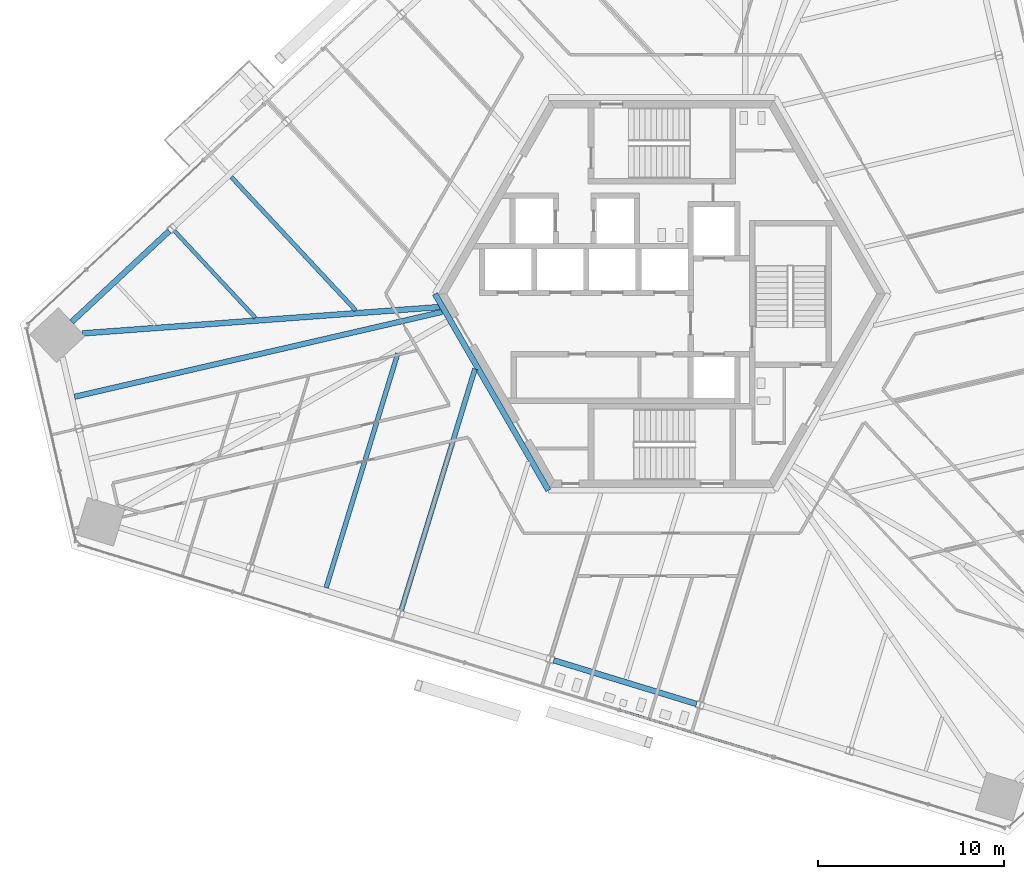
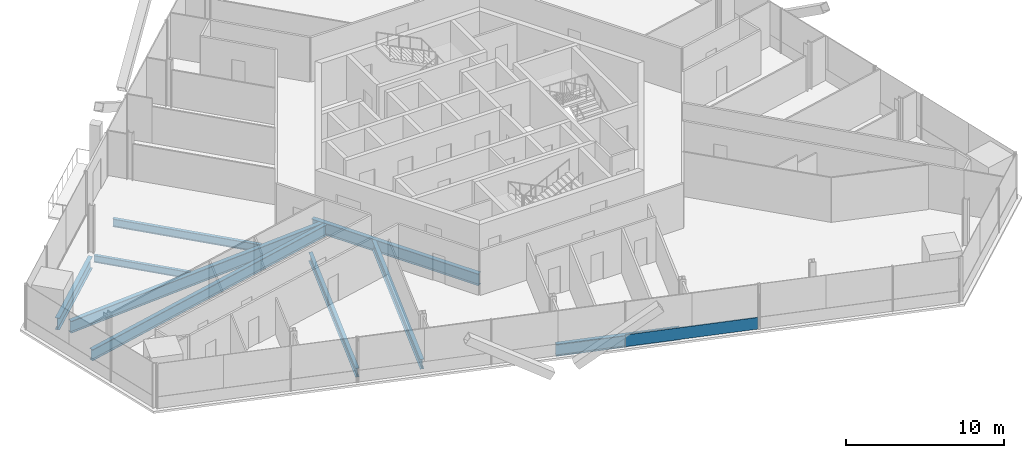
# One storey, part 5 of 20: 9 beams, 1 member, 1 element without a shape of its own.
"""IFC4 building model written with IfcOpenShell, lengths in metres."""

from ifc_helpers import new_model, si_unit, direction, frame, origin, origin_2d, place, context, subcontext, project, spatial, rectangle, i_section, extrude, source, transform, mapped, material, material_profile, profile_set, type_object, element, aggregate, save


model = new_model("IFC4")

# Units and contexts
model_context = context("Model", 3, precision=1e-05, world=origin(), true_north=direction((0.0, 1.0)))
body_context = subcontext(model_context, "Body", "Model", "MODEL_VIEW")
ifc_project = project(units=[si_unit("LENGTHUNIT", "METRE"), si_unit("AREAUNIT", "SQUARE_METRE"), si_unit("VOLUMEUNIT", "CUBIC_METRE"), si_unit("PLANEANGLEUNIT", "RADIAN"), si_unit("MASSUNIT", "GRAM", prefix="KILO")], contexts=[model_context])

# Site, building, storey
site_placement = place(None, origin())
site = spatial("IfcSite", under=ifc_project, at=site_placement, CompositionType="ELEMENT")
building_placement = place(site_placement, origin())
building = spatial("IfcBuilding", under=site, at=building_placement, Name="Triune Harvest Tower", CompositionType="ELEMENT")
storey_placement = place(building_placement, frame((0.0, 0.0, 116.300048828125)))
storey = spatial("IfcBuildingStorey", under=building, at=storey_placement, Name="L29", CompositionType="ELEMENT", Elevation=116.300048828125)

# Beams
ifc_material_1 = material(Name="Steel ASTM A992 Gr 50", Category="steel")
ifc_material_profile_1 = material_profile(ifc_material_1, i_section(OverallWidth=0.3046875, OverallDepth=0.914306640625, WebThickness=0.0166015625, FlangeThickness=0.02587890625, at=origin_2d()), Name="W36x160")
ifc_profile_set_1 = profile_set([ifc_material_profile_1], Name="Steel ASTM A992 Gr 50")
beam_type_1 = type_object("IfcBeamType", Name="CG-1 Core ring girder W36x160", PredefinedType="BEAM", material=ifc_profile_set_1)
shared_shape_1 = source(origin(), body_context, "Body", "SweptSolid", [
    extrude(i_section(OverallWidth=0.3046875, OverallDepth=0.914306640625, WebThickness=0.0166015625, FlangeThickness=0.02587890625, at=origin_2d()), origin(), (0.0, 0.0, 1.0), 12.176025390625),
])
beam_1_placement = place(storey_placement, frame((-12.176025390625, 0.0, -0.6171875), z_axis=(0.5000099932, -0.866019634131, 0.0), x_axis=(0.866019634131, 0.5000099932, 0.0)))
element("IfcBeam", 1, at=beam_1_placement, inside=storey, type_object=beam_type_1, Name="beam/L29/CG4", PredefinedType="BEAM", context=body_context, shape_type="MappedRepresentation", body=[
    mapped(shared_shape_1, transform((0.0, 0.0, 0.0), scale=1.0)),
])
ifc_material_2 = material(Name="Steel ASTM A992 Gr 50", Category="steel")
ifc_material_profile_2 = material_profile(ifc_material_2, i_section(OverallWidth=0.3046875, OverallDepth=0.914306640625, WebThickness=0.0166015625, FlangeThickness=0.02587890625, at=origin_2d()), Name="W36x160")
ifc_profile_set_2 = profile_set([ifc_material_profile_2], Name="Steel ASTM A992 Gr 50")
beam_type_2 = type_object("IfcBeamType", Name="SB-1 Spandrel beam W36x160", PredefinedType="SPANDREL", material=ifc_profile_set_2)
shared_shape_2 = source(origin(), body_context, "Body", "SweptSolid", [
    extrude(i_section(OverallWidth=0.3046875, OverallDepth=0.914306640625, WebThickness=0.0166015625, FlangeThickness=0.02587890625, at=origin_2d()), origin(), (0.0, 0.0, 1.0), 8.018310546875),
])
beam_2_placement = place(storey_placement, frame((-5.805908203125, -19.66748046875, -0.6171875), z_axis=(0.956308069579, -0.292360866152, 0.0), x_axis=(0.292360866152, 0.956308069579, 0.0)))
element("IfcBeam", 2, at=beam_2_placement, inside=storey, type_object=beam_type_2, Name="beam/L29/SB20", PredefinedType="SPANDREL", context=body_context, shape_type="MappedRepresentation", body=[
    mapped(shared_shape_2, transform((0.0, 0.0, 0.0), scale=1.0)),
])
shared_shape_3 = source(origin(), body_context, "Body", "SweptSolid", [
    extrude(i_section(OverallWidth=0.3046875, OverallDepth=0.914306640625, WebThickness=0.0166015625, FlangeThickness=0.02587890625, at=origin_2d()), origin(), (0.0, 0.0, 1.0), 7.16650390625),
])
beam_3_placement = place(storey_placement, frame((-26.4375, 3.384521484375, -0.6171875), z_axis=(-0.731357675554, -0.681994098515, 0.0), x_axis=(0.681994098515, -0.731357675554, 0.0)))
element("IfcBeam", 3, at=beam_3_placement, inside=storey, type_object=beam_type_2, Name="beam/L29/SB14", PredefinedType="SPANDREL", context=body_context, shape_type="MappedRepresentation", body=[
    mapped(shared_shape_3, transform((0.0, 0.0, 0.0), scale=1.0)),
])
ifc_material_3 = material(Name="Steel ASTM A992 Gr 50", Category="steel")
ifc_material_profile_3 = material_profile(ifc_material_3, i_section(OverallWidth=0.307373046875, OverallDepth=0.922119140625, WebThickness=0.018310546875, FlangeThickness=0.030029296875, at=origin_2d()), Name="W36x182")
ifc_profile_set_3 = profile_set([ifc_material_profile_3], Name="Steel ASTM A992 Gr 50")
beam_type_3 = type_object("IfcBeamType", Name="HG-2 Hip girder W36x182", PredefinedType="BEAM", material=ifc_profile_set_3)
shared_shape_4 = source(origin(), body_context, "Body", "SweptSolid", [
    extrude(i_section(OverallWidth=0.307373046875, OverallDepth=0.922119140625, WebThickness=0.018310546875, FlangeThickness=0.030029296875, at=origin_2d()), origin(), (0.0, 0.0, 1.0), 19.2109375),
])
beam_4_placement = place(storey_placement, frame((-31.103515625, -2.119873046875, -0.62109375), z_axis=(0.997285410262, 0.07363294425, 0.0), x_axis=(-0.07363294425, 0.997285410262, 0.0)))
element("IfcBeam", 4, at=beam_4_placement, inside=storey, type_object=beam_type_3, Name="beam/L29/HG5", PredefinedType="BEAM", context=body_context, shape_type="MappedRepresentation", body=[
    mapped(shared_shape_4, transform((0.0, 0.0, 0.0), scale=1.0)),
])
ifc_material_4 = material(Name="Steel ASTM A992 Gr 50", Category="steel")
ifc_material_profile_4 = material_profile(ifc_material_4, i_section(OverallWidth=0.22900390625, OverallDepth=0.612060546875, WebThickness=0.011962890625, FlangeThickness=0.01953125, at=origin_2d()), Name="W24x84")
ifc_profile_set_4 = profile_set([ifc_material_profile_4], Name="Steel ASTM A992 Gr 50")
beam_type_4 = type_object("IfcBeamType", Name="JT-3 Floor joist W24x84", PredefinedType="JOIST", material=ifc_profile_set_4)
shared_shape_5 = source(origin(), body_context, "Body", "SweptSolid", [
    extrude(i_section(OverallWidth=0.22900390625, OverallDepth=0.612060546875, WebThickness=0.011962890625, FlangeThickness=0.01953125, at=origin_2d()), origin(), (0.0, 0.0, 1.0), 9.790283203125),
])
beam_5_placement = place(storey_placement, frame((-23.11181640625, 6.27734375, -0.466064453125), z_axis=(0.682000995077, -0.731351244419, 0.0), x_axis=(0.731351244419, 0.682000995077, 0.0)))
element("IfcBeam", 5, at=beam_5_placement, inside=storey, type_object=beam_type_4, Name="beam/L29/JT22", PredefinedType="JOIST", context=body_context, shape_type="MappedRepresentation", body=[
    mapped(shared_shape_5, transform((0.0, 0.0, 0.0), scale=1.0)),
])
ifc_material_5 = material(Name="Steel ASTM A992 Gr 50", Category="steel")
ifc_material_profile_5 = material_profile(ifc_material_5, i_section(OverallWidth=0.253662109375, OverallDepth=0.683349609375, WebThickness=0.012451171875, FlangeThickness=0.01904296875, at=origin_2d()), Name="W27x94")
ifc_profile_set_5 = profile_set([ifc_material_profile_5], Name="Steel ASTM A992 Gr 50")
beam_type_5 = type_object("IfcBeamType", Name="JT-4 Floor joist W27x94", PredefinedType="JOIST", material=ifc_profile_set_5)
shared_shape_6 = source(origin(), body_context, "Body", "SweptSolid", [
    extrude(i_section(OverallWidth=0.253662109375, OverallDepth=0.683349609375, WebThickness=0.012451171875, FlangeThickness=0.01904296875, at=origin_2d()), origin(), (0.0, 0.0, 1.0), 13.157470703125),
])
beam_6_placement = place(storey_placement, frame((-18.02099609375, -15.773681640625, -0.501708984375), z_axis=(0.292375983311, 0.956303447857, 0.0), x_axis=(-0.956303447857, 0.292375983311, 0.0)))
element("IfcBeam", 6, at=beam_6_placement, inside=storey, type_object=beam_type_5, Name="beam/L29/JT29", PredefinedType="JOIST", context=body_context, shape_type="MappedRepresentation", body=[
    mapped(shared_shape_6, transform((0.0, 0.0, 0.0), scale=1.0)),
])
ifc_material_6 = material(Name="Steel ASTM A992 Gr 50", Category="steel")
ifc_material_profile_6 = material_profile(ifc_material_6, i_section(OverallWidth=0.2099609375, OverallDepth=0.535888671875, WebThickness=0.010986328125, FlangeThickness=0.017333984375, at=origin_2d()), Name="W21x68")
ifc_profile_set_6 = profile_set([ifc_material_profile_6], Name="Steel ASTM A992 Gr 50")
beam_type_6 = type_object("IfcBeamType", Name="JT-2 Floor joist W21x68", PredefinedType="JOIST", material=ifc_profile_set_6)
shared_shape_7 = source(origin(), body_context, "Body", "SweptSolid", [
    extrude(i_section(OverallWidth=0.2099609375, OverallDepth=0.535888671875, WebThickness=0.010986328125, FlangeThickness=0.017333984375, at=origin_2d()), origin(), (0.0, 0.0, 1.0), 6.3720703125),
])
beam_7_placement = place(storey_placement, frame((-26.16259765625, 3.380126953125, -0.427978515625), z_axis=(0.682001475832, -0.731350796105, 0.0), x_axis=(0.731350796105, 0.682001475832, 0.0)))
element("IfcBeam", 7, at=beam_7_placement, inside=storey, type_object=beam_type_6, Name="beam/L29/JT23", PredefinedType="JOIST", context=body_context, shape_type="MappedRepresentation", body=[
    mapped(shared_shape_7, transform((0.0, 0.0, 0.0), scale=1.0)),
])
ifc_material_7 = material(Name="Steel ASTM A992 Gr 50", Category="steel")
ifc_material_profile_7 = material_profile(ifc_material_7, i_section(OverallWidth=0.2919921875, OverallDepth=0.8583984375, WebThickness=0.01708984375, FlangeThickness=0.031005859375, at=origin_2d()), Name="W33x169")
ifc_profile_set_7 = profile_set([ifc_material_profile_7], Name="Steel ASTM A992 Gr 50")
beam_type_7 = type_object("IfcBeamType", Name="JT-7 Floor joist W33x169", PredefinedType="JOIST", material=ifc_profile_set_7)
shared_shape_8 = source(origin(), body_context, "Body", "SweptSolid", [
    extrude(i_section(OverallWidth=0.2919921875, OverallDepth=0.8583984375, WebThickness=0.01708984375, FlangeThickness=0.031005859375, at=origin_2d()), origin(), (0.0, 0.0, 1.0), 20.25244140625),
])
beam_8_placement = place(storey_placement, frame((-31.52783203125, -5.521484375, -0.58935546875), z_axis=(0.974371687507, 0.224944025448, 0.0), x_axis=(-0.224944025448, 0.974371687507, 0.0)))
element("IfcBeam", 8, at=beam_8_placement, inside=storey, type_object=beam_type_7, Name="beam/L29/JT25", PredefinedType="JOIST", context=body_context, shape_type="MappedRepresentation", body=[
    mapped(shared_shape_8, transform((0.0, 0.0, 0.0), scale=1.0)),
])
ifc_material_8 = material(Name="Steel ASTM A992 Gr 50", Category="steel")
ifc_material_profile_8 = material_profile(ifc_material_8, i_section(OverallWidth=0.2666015625, OverallDepth=0.7568359375, WebThickness=0.013916015625, FlangeThickness=0.019287109375, at=origin_2d()), Name="W30x108")
ifc_profile_set_8 = profile_set([ifc_material_profile_8], Name="Steel ASTM A992 Gr 50")
beam_type_8 = type_object("IfcBeamType", Name="JT-5 Floor joist W30x108", PredefinedType="JOIST", material=ifc_profile_set_8)
shared_shape_9 = source(origin(), body_context, "Body", "SweptSolid", [
    extrude(i_section(OverallWidth=0.2666015625, OverallDepth=0.7568359375, WebThickness=0.013916015625, FlangeThickness=0.019287109375, at=origin_2d()), origin(), (0.0, 0.0, 1.0), 13.53515625),
])
beam_9_placement = place(storey_placement, frame((-13.986328125, -16.96728515625, -0.53857421875), z_axis=(0.292367922799, 0.956305912205, 0.0), x_axis=(-0.956305912205, 0.292367922799, 0.0)))
element("IfcBeam", 9, at=beam_9_placement, inside=storey, type_object=beam_type_8, Name="beam/L29/JT30", PredefinedType="JOIST", context=body_context, shape_type="MappedRepresentation", body=[
    mapped(shared_shape_9, transform((0.0, 0.0, 0.0), scale=1.0)),
])

# Curtain wall, member
ifc_material_9 = material(Name="Aluminium bronze anodised", Category="aluminium")
curtain_wall_type = type_object("IfcCurtainWallType", Name="CW-7 Tower stick curtain wall with insulated spandrel infill", PredefinedType="NOTDEFINED", material=ifc_material_9)
curtain_wall_placement = place(storey_placement, origin())
curtain_wall = element("IfcCurtainWall", 10, at=curtain_wall_placement, inside=storey, type_object=curtain_wall_type, Name="CW-7 B3-F5 L29 run 1001")
ifc_material_10 = material(Name="Aluminium bronze anodised", Category="aluminium")
ifc_material_profile_9 = material_profile(ifc_material_10, rectangle(XDim=0.090087890625, YDim=0.89990234375, at=origin_2d()), Name="TR-1 transom 90 x 900")
ifc_profile_set_9 = profile_set([ifc_material_profile_9], Name="Aluminium bronze anodised")
member_type = type_object("IfcMemberType", Name="TR-1 transom 90 x 900", PredefinedType="USERDEFINED", material=ifc_profile_set_9)
shared_shape_10 = source(origin(), body_context, "Body", "SweptSolid", [
    extrude(rectangle(XDim=0.090087890625, YDim=0.89990234375, at=origin_2d()), origin(), (0.0, 0.0, 1.0), 8.564208984375),
])
member_placement = place(storey_placement, frame((-2.254638671875, -22.34130859375, 0.449951171875), z_axis=(0.956305086263, -0.292370624358, 0.0), x_axis=(0.292370624358, 0.956305086263, 0.0)))
member = element("IfcMember", 11, at=member_placement, type_object=member_type, Name="CW-7 transom B3-F5 1001.3", ObjectType="TRANSOM", PredefinedType="USERDEFINED", context=body_context, shape_type="MappedRepresentation", body=[
    mapped(shared_shape_10, transform((0.0, 0.0, 0.0), scale=1.0)),
])
aggregate(curtain_wall, [member])

save(model, "model.ifc")
